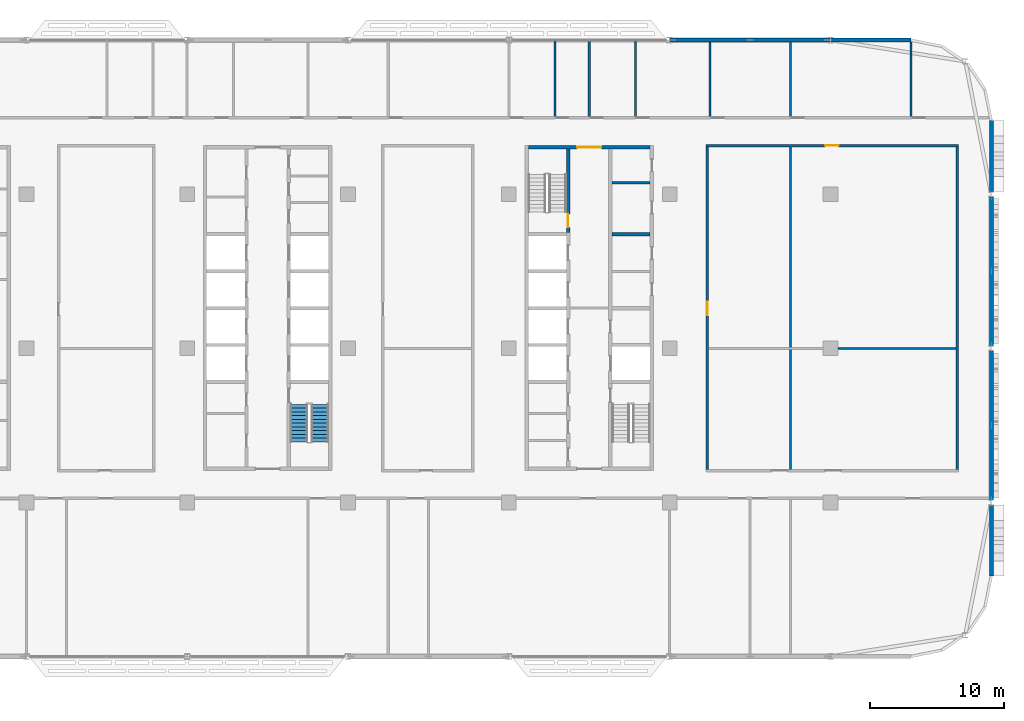
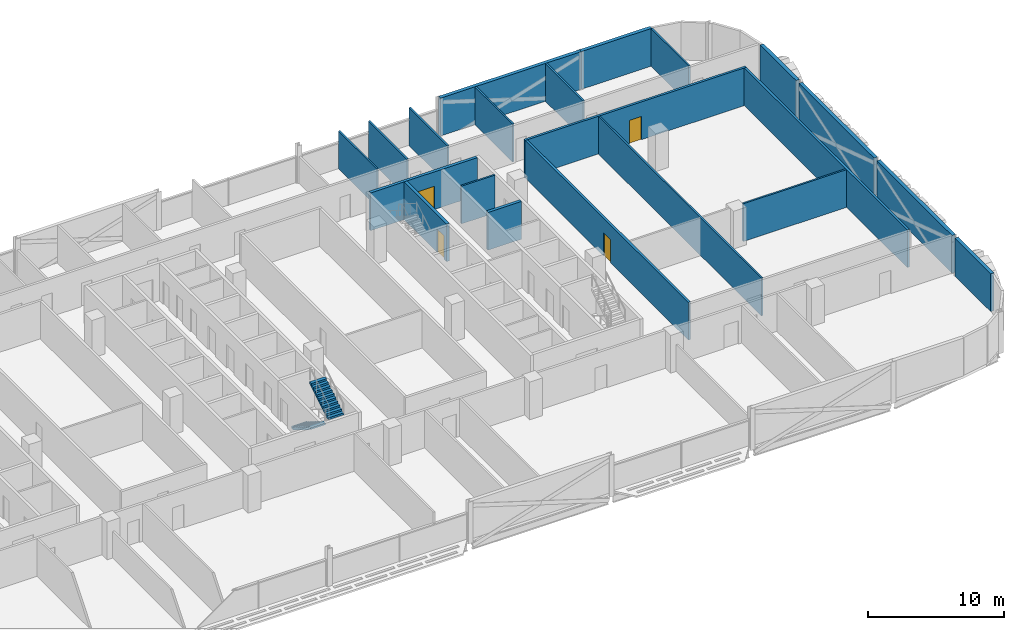
# One storey, part 18 of 30: 21 walls, 4 doors, 2 stair flights, 4 openings, 1 element without a shape of its own.
"""IFC4 building model written with IfcOpenShell, lengths in metres."""

from ifc_helpers import new_model, si_unit, direction, frame, frame_2d, origin, place, context, subcontext, project, spatial, polyline, rectangle, outline, extrude, material, layer, layer_set, type_object, element, fill, aggregate, save


model = new_model("IFC4")

# Units and contexts
model_context = context("Model", 3, precision=1e-05, world=origin(), true_north=direction((0.0, 1.0)))
body_context = subcontext(model_context, "Body", "Model", "MODEL_VIEW")
ifc_project = project(units=[si_unit("LENGTHUNIT", "METRE"), si_unit("AREAUNIT", "SQUARE_METRE"), si_unit("VOLUMEUNIT", "CUBIC_METRE"), si_unit("PLANEANGLEUNIT", "RADIAN"), si_unit("MASSUNIT", "GRAM", prefix="KILO")], contexts=[model_context])

# Site, building, storey
site_placement = place(None, origin())
site = spatial("IfcSite", under=ifc_project, at=site_placement, CompositionType="ELEMENT")
building_placement = place(site_placement, origin())
building = spatial("IfcBuilding", under=site, at=building_placement, Name="Mahtab Terrace Research Tower", CompositionType="ELEMENT")
storey_placement = place(building_placement, frame((0.0, 0.0, 220.5)))
storey = spatial("IfcBuildingStorey", under=building, at=storey_placement, Name="L53", CompositionType="ELEMENT", Elevation=220.5)

# Wall
ifc_material_1 = material(Name="Gypsum board partition")
ifc_layer_1 = layer(ifc_material_1, 0.14990234375)
ifc_layer_set_1 = layer_set([ifc_layer_1], Name="Core partition 150")
wall_type_1 = type_object("IfcWallType", Name="Core partition 150", PredefinedType="PARTITIONING", material=ifc_layer_set_1)
wall_1_placement = place(storey_placement, frame((25.699951171875, 12.35498046875, 0.0), z_axis=(0.0, 0.0, 1.0), x_axis=(1.0, 0.0, 0.0)))
element("IfcWall", 1, at=wall_1_placement, inside=storey, type_object=wall_type_1, Name="Core wall C pEN936", PredefinedType="PARTITIONING", context=body_context, shape_type="SweptSolid", body=[
    extrude(rectangle(XDim=2.85009765625, YDim=0.14990234375, at=frame_2d((1.425048828125, 0.0))), origin(), (0.0, 0.0, 1.0), 3.39990234375),
])

# Wall, opening, door
ifc_material_2 = material(Name="Concrete C70/85", Category="concrete")
ifc_layer_2 = layer(ifc_material_2, 0.25)
ifc_layer_set_2 = layer_set([ifc_layer_2], Name="Core wall 250")
wall_type_2 = type_object("IfcWallType", Name="Core wall 250", PredefinedType="SOLIDWALL", material=ifc_layer_set_2)
wall_2_placement = place(storey_placement, frame((19.449951171875, 15.0, 0.0), z_axis=(0.0, 0.0, 1.0), x_axis=(1.0, 0.0, 0.0)))
wall_2 = element("IfcWall", 2, at=wall_2_placement, inside=storey, type_object=wall_type_2, Name="Core wall C endN", PredefinedType="SOLIDWALL", context=body_context, shape_type="SweptSolid", body=[
    extrude(rectangle(XDim=9.10009765625, YDim=0.25, at=frame_2d((4.550048828125, 0.0))), origin(), (0.0, 0.0, 1.0), 3.39990234375),
])
opening_1_placement = place(wall_2_placement, frame((3.64990234375, 0.0, 0.0)))
opening_1 = element("IfcOpeningElement", 3, at=opening_1_placement, cuts=wall_2, Name="Opening C-N1", PredefinedType="OPENING", context=body_context, shape_type="SweptSolid", body=[
    extrude(rectangle(XDim=1.800048828125, YDim=2.10009765625, at=frame_2d((0.89990234375, 1.050048828125))), frame((0.0, 0.135009765625, 0.0), z_axis=(0.0, -1.0, 0.0), x_axis=(1.0, 0.0, 0.0)), (0.0, 0.0, 1.0), 0.27001953125),
])
ifc_material_3 = material(Name="Steel fire door", Category="steel")
door_type_1 = type_object("IfcDoorType", Name="Lobby double door 1800x2100 1 HR", OperationType="DOUBLE_DOOR_SINGLE_SWING", PredefinedType="DOOR", material=ifc_material_3)
door_1_placement = place(opening_1_placement, origin())
door_1 = element("IfcDoor", 4, at=door_1_placement, inside=storey, type_object=door_type_1, Name="Core entrance door C N", OperationType="DOUBLE_DOOR_SINGLE_SWING", OverallHeight=2.10009765625, OverallWidth=1.800048828125, PredefinedType="DOOR", context=body_context, shape_type="SweptSolid", body=[
    extrude(rectangle(XDim=1.800048828125, YDim=2.10009765625, at=frame_2d((0.89990234375, 1.050048828125))), frame((0.0, 0.02490234375, 0.0), z_axis=(0.0, -1.0, 0.0), x_axis=(1.0, 0.0, 0.0)), (0.0, 0.0, 1.0), 0.050048828125),
])
fill(opening_1, door_1)

wall_3_placement = place(storey_placement, frame((22.425048828125, 14.875, 0.0), z_axis=(0.0, 0.0, 1.0), x_axis=(0.0, -1.0, 0.0)))
wall_3 = element("IfcWall", 5, at=wall_3_placement, inside=storey, type_object=wall_type_2, Name="Core wall C innerWN", PredefinedType="SOLIDWALL", context=body_context, shape_type="SweptSolid", body=[
    extrude(rectangle(XDim=6.25, YDim=0.25, at=frame_2d((3.125, 0.0))), origin(), (0.0, 0.0, 1.0), 3.39990234375),
])
opening_2_placement = place(wall_3_placement, frame((4.85009765625, 0.0, 0.0)))
opening_2 = element("IfcOpeningElement", 6, at=opening_2_placement, cuts=wall_3, Name="Opening C-ST3", PredefinedType="OPENING", context=body_context, shape_type="SweptSolid", body=[
    extrude(rectangle(XDim=1.0, YDim=2.10009765625, at=frame_2d((0.5, 1.050048828125))), frame((0.0, 0.135009765625, 0.0), z_axis=(0.0, -1.0, 0.0), x_axis=(1.0, 0.0, 0.0)), (0.0, 0.0, 1.0), 0.27001953125),
])
door_type_2 = type_object("IfcDoorType", Name="Stair door 1000x2100 1.5 HR", OperationType="NOTDEFINED", PredefinedType="DOOR", material=ifc_material_3)
door_2_placement = place(opening_2_placement, origin())
door_2 = element("IfcDoor", 7, at=door_2_placement, inside=storey, type_object=door_type_2, Name="Stair door ST3 L53", OperationType="SINGLE_SWING_LEFT", OverallHeight=2.10009765625, OverallWidth=1.0, PredefinedType="DOOR", context=body_context, shape_type="SweptSolid", body=[
    extrude(rectangle(XDim=1.0, YDim=2.10009765625, at=frame_2d((0.5, 1.050048828125))), frame((0.0, 0.02490234375, 0.0), z_axis=(0.0, -1.0, 0.0), x_axis=(1.0, 0.0, 0.0)), (0.0, 0.0, 1.0), 0.050048828125),
])
fill(opening_2, door_2)

# Walls
wall_4_placement = place(storey_placement, frame((25.699951171875, 8.5, 0.0), z_axis=(0.0, 0.0, 1.0), x_axis=(1.0, 0.0, 0.0)))
element("IfcWall", 8, at=wall_4_placement, inside=storey, type_object=wall_type_2, Name="Core wall C divE4", PredefinedType="SOLIDWALL", context=body_context, shape_type="SweptSolid", body=[
    extrude(rectangle(XDim=2.85009765625, YDim=0.25, at=frame_2d((1.425048828125, 0.0))), origin(), (0.0, 0.0, 1.0), 3.39990234375),
])
ifc_material_4 = material(Name="Black aluminium cladding panel", Category="aluminium")
ifc_layer_3 = layer(ifc_material_4, 0.300048828125)
ifc_layer_set_3 = layer_set([ifc_layer_3], Name="Opaque facade wall 300")
wall_type_3 = type_object("IfcWallType", Name="Opaque facade wall 300", PredefinedType="NOTDEFINED", material=ifc_layer_set_3)
wall_5_placement = place(storey_placement, frame((48.0, 23.0, 0.0), z_axis=(0.0, 0.0, 1.0), x_axis=(-1.0, 0.0, 0.0)))
element("IfcWall", 9, at=wall_5_placement, inside=storey, type_object=wall_type_3, Name="Opaque facade wall L53 N3", PredefinedType="NOTDEFINED", context=body_context, shape_type="SweptSolid", body=[
    extrude(rectangle(XDim=5.987548828125, YDim=0.300048828125, at=frame_2d((2.99365234375, 0.0))), origin(), (0.0, 0.0, 1.0), 3.39990234375),
])
wall_6_placement = place(storey_placement, frame((41.987548828125, 23.0, 0.0), z_axis=(0.0, 0.0, 1.0), x_axis=(-1.0, 0.0, 0.0)))
element("IfcWall", 10, at=wall_6_placement, inside=storey, type_object=wall_type_3, Name="Opaque facade wall L53 N4", PredefinedType="NOTDEFINED", context=body_context, shape_type="SweptSolid", body=[
    extrude(rectangle(XDim=11.97509765625, YDim=0.300048828125, at=frame_2d((5.987548828125, 0.0))), origin(), (0.0, 0.0, 1.0), 3.39990234375),
])
wall_7_placement = place(storey_placement, frame((54.0, -17.0, 0.0), z_axis=(0.0, 0.0, 1.0), x_axis=(0.0, 1.0, 0.0)))
element("IfcWall", 11, at=wall_7_placement, inside=storey, type_object=wall_type_3, Name="Opaque facade wall L53 E35", PredefinedType="NOTDEFINED", context=body_context, shape_type="SweptSolid", body=[
    extrude(rectangle(XDim=5.300048828125, YDim=0.300048828125, at=frame_2d((2.64990234375, 0.0))), origin(), (0.0, 0.0, 1.0), 3.39990234375),
])
for number, where, z_axis, x_axis, name in (
    (12, (54.0, -11.300048828125, 0.0), (0.0, 0.0, 1.0), (0.0, 1.0, 0.0), "Opaque facade wall L53 E36"),
    (13, (54.0, 0.199951171875, 0.0), (0.0, 0.0, 1.0), (0.0, 1.0, 0.0), "Opaque facade wall L53 E37"),
):
    element("IfcWall", number, at=place(storey_placement, frame(where, z_axis=z_axis, x_axis=x_axis)), inside=storey, type_object=wall_type_3, Name=name, PredefinedType="NOTDEFINED", context=body_context, shape_type="SweptSolid", body=[
        extrude(rectangle(XDim=11.10009765625, YDim=0.300048828125, at=frame_2d((5.550048828125, 0.0))), origin(), (0.0, 0.0, 1.0), 3.39990234375),
    ])
wall_8_placement = place(storey_placement, frame((54.0, 11.699951171875, 0.0), z_axis=(0.0, 0.0, 1.0), x_axis=(0.0, 1.0, 0.0)))
element("IfcWall", 14, at=wall_8_placement, inside=storey, type_object=wall_type_3, Name="Opaque facade wall L53 E38", PredefinedType="NOTDEFINED", context=body_context, shape_type="SweptSolid", body=[
    extrude(rectangle(XDim=5.300048828125, YDim=0.300048828125, at=frame_2d((2.64990234375, 0.0))), origin(), (0.0, 0.0, 1.0), 3.39990234375),
])

# Wall, opening, door
ifc_material_5 = material(Name="Gypsum board corridor wall on steel studs", Category="steel")
ifc_layer_4 = layer(ifc_material_5, 0.199951171875)
ifc_layer_set_4 = layer_set([ifc_layer_4], Name="WALL CORRIDOR 200")
wall_type_4 = type_object("IfcWallType", Name="WALL CORRIDOR 200", PredefinedType="PARTITIONING", material=ifc_layer_set_4)
wall_9_placement = place(storey_placement, frame((32.699951171875, 15.125, 0.0), z_axis=(0.0, 0.0, 1.0), x_axis=(1.0, 0.0, 0.0)))
wall_9 = element("IfcWall", 15, at=wall_9_placement, inside=storey, type_object=wall_type_4, Name="L53-W021", PredefinedType="PARTITIONING", context=body_context, shape_type="SweptSolid", body=[
    extrude(rectangle(XDim=18.85009765625, YDim=0.199951171875, at=frame_2d((9.425048828125, 0.0))), origin(), (0.0, 0.0, 1.0), 3.39990234375),
])
opening_3_placement = place(wall_9_placement, frame((8.89990234375, 0.0, 0.0)))
opening_3 = element("IfcOpeningElement", 16, at=opening_3_placement, cuts=wall_9, Name="Opening L53-120", PredefinedType="OPENING", context=body_context, shape_type="SweptSolid", body=[
    extrude(rectangle(XDim=1.0, YDim=2.10009765625, at=frame_2d((0.5, 1.050048828125))), frame((0.0, 0.10986328125, 0.0), z_axis=(0.0, -1.0, 0.0), x_axis=(1.0, 0.0, 0.0)), (0.0, 0.0, 1.0), 0.219970703125),
])
ifc_material_6 = material(Name="Timber door leaf in steel frame", Category="steel")
door_type_3 = type_object("IfcDoorType", Name="DOOR 1000X2100 FD30S", OperationType="SINGLE_SWING_LEFT", PredefinedType="DOOR", material=ifc_material_6)
door_3_placement = place(opening_3_placement, origin())
door_3 = element("IfcDoor", 17, at=door_3_placement, inside=storey, type_object=door_type_3, Name="Door L53-120", OperationType="SINGLE_SWING_RIGHT", OverallHeight=2.10009765625, OverallWidth=1.0, PredefinedType="DOOR", context=body_context, shape_type="SweptSolid", body=[
    extrude(rectangle(XDim=1.0, YDim=2.10009765625, at=frame_2d((0.5, 1.050048828125))), frame((0.0, 0.02490234375, 0.0), z_axis=(0.0, -1.0, 0.0), x_axis=(1.0, 0.0, 0.0)), (0.0, 0.0, 1.0), 0.050048828125),
])
fill(opening_3, door_3)

wall_10_placement = place(storey_placement, frame((32.800048828125, -9.02490234375, 0.0), z_axis=(0.0, 0.0, 1.0), x_axis=(0.0, 1.0, 0.0)))
wall_10 = element("IfcWall", 18, at=wall_10_placement, inside=storey, type_object=wall_type_4, Name="L53-W049", PredefinedType="PARTITIONING", context=body_context, shape_type="SweptSolid", body=[
    extrude(rectangle(XDim=24.0498046875, YDim=0.199951171875, at=frame_2d((12.02490234375, 0.0))), origin(), (0.0, 0.0, 1.0), 3.39990234375),
])
opening_4_placement = place(wall_10_placement, frame((11.5, 0.0, 0.0)))
opening_4 = element("IfcOpeningElement", 19, at=opening_4_placement, cuts=wall_10, Name="Opening L53-119", PredefinedType="OPENING", context=body_context, shape_type="SweptSolid", body=[
    extrude(rectangle(XDim=1.0, YDim=2.10009765625, at=frame_2d((0.5, 1.050048828125))), frame((0.0, 0.10986328125, 0.0), z_axis=(0.0, -1.0, 0.0), x_axis=(1.0, 0.0, 0.0)), (0.0, 0.0, 1.0), 0.219970703125),
])
door_4_placement = place(opening_4_placement, origin())
door_4 = element("IfcDoor", 20, at=door_4_placement, inside=storey, type_object=door_type_3, Name="Door L53-119", OperationType="SINGLE_SWING_RIGHT", OverallHeight=2.10009765625, OverallWidth=1.0, PredefinedType="DOOR", context=body_context, shape_type="SweptSolid", body=[
    extrude(rectangle(XDim=1.0, YDim=2.10009765625, at=frame_2d((0.5, 1.050048828125))), frame((0.0, 0.02490234375, 0.0), z_axis=(0.0, -1.0, 0.0), x_axis=(1.0, 0.0, 0.0)), (0.0, 0.0, 1.0), 0.050048828125),
])
fill(opening_4, door_4)

# Walls
wall_11_placement = place(storey_placement, frame((51.449951171875, -9.02490234375, 0.0), z_axis=(0.0, 0.0, 1.0), x_axis=(0.0, 1.0, 0.0)))
element("IfcWall", 21, at=wall_11_placement, inside=storey, type_object=wall_type_4, Name="L53-W056", PredefinedType="PARTITIONING", context=body_context, shape_type="SweptSolid", body=[
    extrude(rectangle(XDim=24.0498046875, YDim=0.199951171875, at=frame_2d((12.02490234375, 0.0))), origin(), (0.0, 0.0, 1.0), 3.39990234375),
])
ifc_material_7 = material(Name="Gypsum board partition on steel studs", Category="steel")
ifc_layer_5 = layer(ifc_material_7, 0.14990234375)
ifc_layer_set_5 = layer_set([ifc_layer_5], Name="WALL PARTITION 150")
wall_type_5 = type_object("IfcWallType", Name="WALL PARTITION 150", PredefinedType="PARTITIONING", material=ifc_layer_set_5)
wall_12_placement = place(storey_placement, frame((42.550048828125, 0.0, 0.0), z_axis=(0.0, 0.0, 1.0), x_axis=(1.0, 0.0, 0.0)))
element("IfcWall", 22, at=wall_12_placement, inside=storey, type_object=wall_type_5, Name="L53-W017", PredefinedType="PARTITIONING", context=body_context, shape_type="SweptSolid", body=[
    extrude(rectangle(XDim=8.800048828125, YDim=0.14990234375, at=frame_2d((4.39990234375, 0.0))), origin(), (0.0, 0.0, 1.0), 3.39990234375),
])
for number, where, z_axis, x_axis, name in (
    (23, (21.449951171875, 17.300048828125, 0.0), (0.0, 0.0, 1.0), (0.0, 1.0, 0.0), "L53-W045"),
    (24, (24.0, 17.300048828125, 0.0), (0.0, 0.0, 1.0), (0.0, 1.0, 0.0), "L53-W046"),
    (25, (27.449951171875, 17.300048828125, 0.0), (0.0, 0.0, 1.0), (0.0, 1.0, 0.0), "L53-W047"),
):
    element("IfcWall", number, at=place(storey_placement, frame(where, z_axis=z_axis, x_axis=x_axis)), inside=storey, type_object=wall_type_5, Name=name, PredefinedType="PARTITIONING", context=body_context, shape_type="SweptSolid", body=[
        extrude(rectangle(XDim=5.675048828125, YDim=0.14990234375, at=frame_2d((2.83740234375, 0.0))), origin(), (0.0, 0.0, 1.0), 3.39990234375),
    ])
wall_13_placement = place(storey_placement, frame((33.0, 17.300048828125, 0.0), z_axis=(0.0, 0.0, 1.0), x_axis=(0.0, 1.0, 0.0)))
element("IfcWall", 26, at=wall_13_placement, inside=storey, type_object=wall_type_5, Name="L53-W050", PredefinedType="PARTITIONING", context=body_context, shape_type="SweptSolid", body=[
    extrude(rectangle(XDim=5.550048828125, YDim=0.14990234375, at=frame_2d((2.77490234375, 0.0))), origin(), (0.0, 0.0, 1.0), 3.39990234375),
])
wall_14_placement = place(storey_placement, frame((39.0, -9.02490234375, 0.0), z_axis=(0.0, 0.0, 1.0), x_axis=(0.0, 1.0, 0.0)))
element("IfcWall", 27, at=wall_14_placement, inside=storey, type_object=wall_type_5, Name="L53-W053", PredefinedType="PARTITIONING", context=body_context, shape_type="SweptSolid", body=[
    extrude(rectangle(XDim=24.0498046875, YDim=0.14990234375, at=frame_2d((12.02490234375, 0.0))), origin(), (0.0, 0.0, 1.0), 3.39990234375),
])
wall_15_placement = place(storey_placement, frame((39.0, 17.300048828125, 0.0), z_axis=(0.0, 0.0, 1.0), x_axis=(0.0, 1.0, 0.0)))
element("IfcWall", 28, at=wall_15_placement, inside=storey, type_object=wall_type_5, Name="L53-W054", PredefinedType="PARTITIONING", context=body_context, shape_type="SweptSolid", body=[
    extrude(rectangle(XDim=5.550048828125, YDim=0.14990234375, at=frame_2d((2.77490234375, 0.0))), origin(), (0.0, 0.0, 1.0), 3.39990234375),
])
wall_16_placement = place(storey_placement, frame((48.0, 17.300048828125, 0.0), z_axis=(0.0, 0.0, 1.0), x_axis=(0.0, 1.0, 0.0)))
element("IfcWall", 29, at=wall_16_placement, inside=storey, type_object=wall_type_5, Name="L53-W055", PredefinedType="PARTITIONING", context=body_context, shape_type="SweptSolid", body=[
    extrude(rectangle(XDim=5.547119140625, YDim=0.14990234375, at=frame_2d((2.7734375, 0.0))), origin(), (0.0, 0.0, 1.0), 3.39990234375),
])

# Stair, stair flights
ifc_material_8 = material(Name="Exit stair half-turn")
stair_type = type_object("IfcStairType", Name="Exit stair half-turn", PredefinedType="HALF_TURN_STAIR", material=ifc_material_8)
stair_placement = place(storey_placement, origin())
stair = element("IfcStair", 30, at=stair_placement, inside=storey, type_object=stair_type, Name="L53 Protected exit stair ST2", PredefinedType="HALF_TURN_STAIR")
ifc_material_9 = material(Name="Concrete C40/50", Category="concrete")
stair_flight_type = type_object("IfcStairFlightType", Name="Exit stair flight 1300", PredefinedType="STRAIGHT", material=ifc_material_9)
stair_flight_1_placement = place(storey_placement, frame((2.35009765625, -4.175048828125, 0.0), z_axis=(0.0, 0.0, 1.0), x_axis=(0.0, -1.0, 0.0)))
stair_flight_1 = element("IfcStairFlight", 31, at=stair_flight_1_placement, type_object=stair_flight_type, Name="ST2 flight 1", NumberOfRisers=11, NumberOfTreads=10, PredefinedType="STRAIGHT", RiserHeight=0.172727273, TreadLength=0.28, context=body_context, shape_type="SweptSolid", body=[
    extrude(outline(polyline([(0.0, 0.0), (0.0, 0.172607421875), (0.280029296875, 0.172607421875), (0.280029296875, 0.345458984375), (0.56005859375, 0.345458984375), (0.56005859375, 0.51806640625), (0.840087890625, 0.51806640625), (0.840087890625, 0.69091796875), (1.1201171875, 0.69091796875), (1.1201171875, 0.863525390625), (1.39990234375, 0.863525390625), (1.39990234375, 1.036376953125), (1.679931640625, 1.036376953125), (1.679931640625, 1.208984375), (1.9599609375, 1.208984375), (1.9599609375, 1.3818359375), (2.239990234375, 1.3818359375), (2.239990234375, 1.554443359375), (2.52001953125, 1.554443359375), (2.52001953125, 1.727294921875), (2.800048828125, 1.727294921875), (2.800048828125, 1.89990234375), (2.800048828125, 1.551025390625), (0.285400390625, 0.0), (0.0, 0.0)])), frame((0.0, 0.64990234375, 0.0), z_axis=(0.0, -1.0, 0.0), x_axis=(1.0, 0.0, 0.0)), (0.0, 0.0, 1.0), 1.300048828125),
])
stair_flight_2_placement = place(storey_placement, frame((3.89990234375, -6.97509765625, 1.89990234375), z_axis=(0.0, 0.0, 1.0), x_axis=(0.0, 1.0, 0.0)))
stair_flight_2 = element("IfcStairFlight", 32, at=stair_flight_2_placement, type_object=stair_flight_type, Name="ST2 flight 2", NumberOfRisers=11, NumberOfTreads=10, PredefinedType="STRAIGHT", RiserHeight=0.172727273, TreadLength=0.28, context=body_context, shape_type="SweptSolid", body=[
    extrude(outline(polyline([(0.0, 0.0), (0.0, 0.172607421875), (0.280029296875, 0.172607421875), (0.280029296875, 0.345458984375), (0.56005859375, 0.345458984375), (0.56005859375, 0.51806640625), (0.840087890625, 0.51806640625), (0.840087890625, 0.69091796875), (1.1201171875, 0.69091796875), (1.1201171875, 0.863525390625), (1.39990234375, 0.863525390625), (1.39990234375, 1.036376953125), (1.679931640625, 1.036376953125), (1.679931640625, 1.208984375), (1.9599609375, 1.208984375), (1.9599609375, 1.3818359375), (2.239990234375, 1.3818359375), (2.239990234375, 1.554443359375), (2.52001953125, 1.554443359375), (2.52001953125, 1.727294921875), (2.800048828125, 1.727294921875), (2.800048828125, 1.89990234375), (2.800048828125, 1.551025390625), (0.285400390625, 0.0), (0.0, 0.0)])), frame((0.0, 0.64990234375, 0.0), z_axis=(0.0, -1.0, 0.0), x_axis=(1.0, 0.0, 0.0)), (0.0, 0.0, 1.0), 1.300048828125),
])
aggregate(stair, [stair_flight_1, stair_flight_2])

save(model, "model.ifc")
